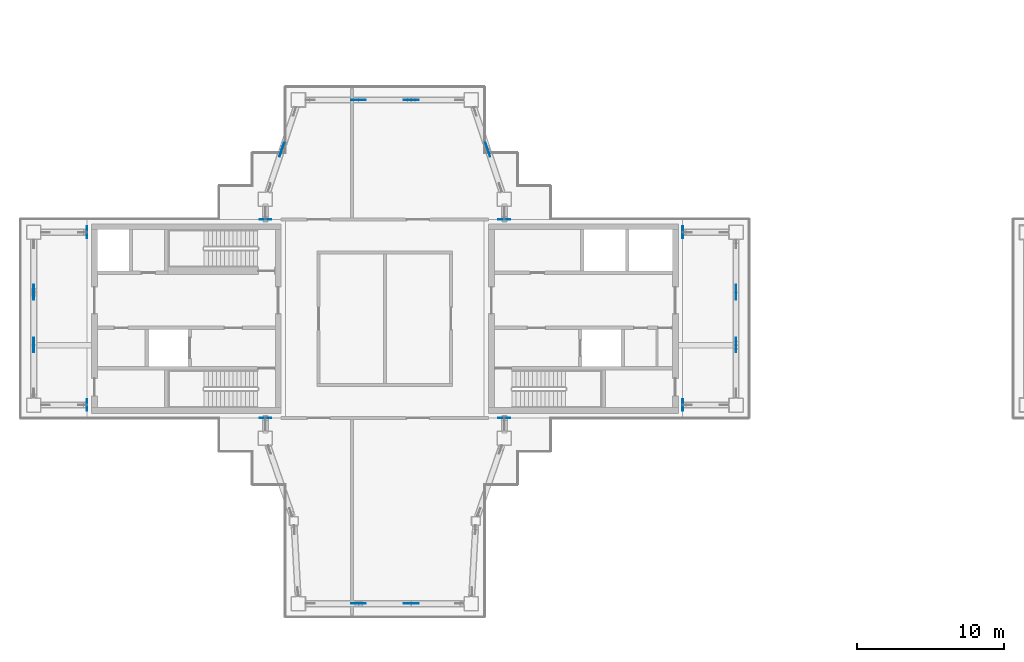
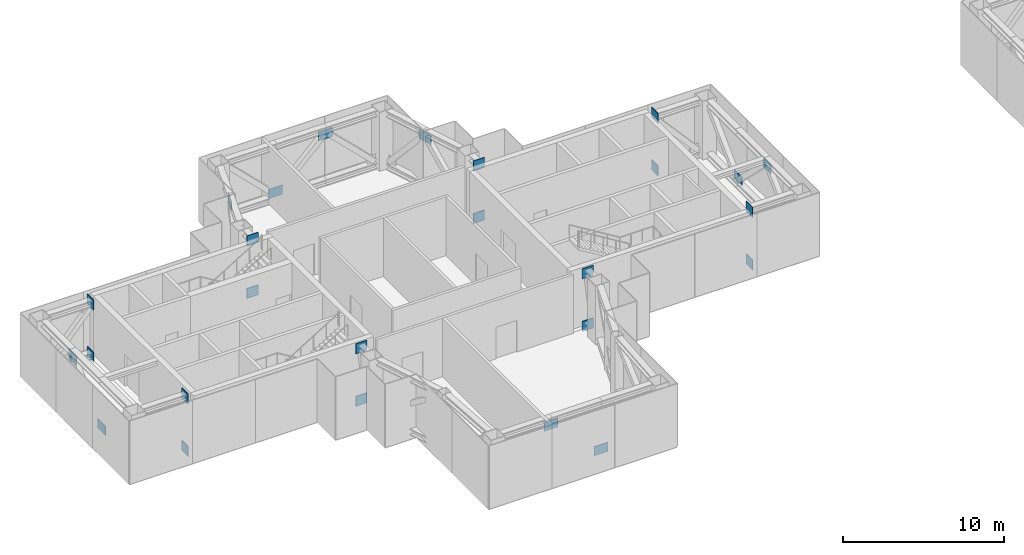
# One storey, part 11 of 18: 26 discrete accessories.
"""IFC4 building model written with IfcOpenShell, lengths in metres."""

from ifc_helpers import new_model, si_unit, direction, frame, origin, origin_2d, place, context, subcontext, project, spatial, rectangle, extrude, material, layer, layer_set, type_object, element, save


model = new_model("IFC4")

# Units and contexts
model_context = context("Model", 3, precision=1e-05, world=origin(), true_north=direction((0.0, 1.0)))
body_context = subcontext(model_context, "Body", "Model", "MODEL_VIEW")
ifc_project = project(units=[si_unit("LENGTHUNIT", "METRE"), si_unit("AREAUNIT", "SQUARE_METRE"), si_unit("VOLUMEUNIT", "CUBIC_METRE"), si_unit("PLANEANGLEUNIT", "RADIAN"), si_unit("MASSUNIT", "GRAM", prefix="KILO")], contexts=[model_context])

# Site, building, storey
site_placement = place(None, origin())
site = spatial("IfcSite", under=ifc_project, at=site_placement, CompositionType="ELEMENT")
building_placement = place(site_placement, origin())
building = spatial("IfcBuilding", under=site, at=building_placement, Name="Shamsa Quay Exchange Towers", CompositionType="ELEMENT")
storey_placement = place(building_placement, frame((0.0, 0.0, 225.60009765625)))
storey = spatial("IfcBuildingStorey", under=building, at=storey_placement, Name="L54", CompositionType="ELEMENT", Elevation=225.60009765625)

# Discrete accessories
ifc_material = material(Name="Steel S355", Category="steel")
ifc_layer_1 = layer(ifc_material, 0.050048828125)
ifc_layer_set_1 = layer_set([ifc_layer_1], Name="Cast-in plate 50x800x765")
discrete_accessory_type_1 = type_object("IfcDiscreteAccessoryType", Name="Cast-in plate 50x800x765", PredefinedType="ANCHORPLATE", material=ifc_layer_set_1)
for number, where, name in (
    (1, (-54.0, -5.875, 3.834716796875), "Cast-in plate T1 L54"),
    (2, (-54.0, -5.875, -0.150146484375), "Cast-in plate T1 L54"),
):
    element("IfcDiscreteAccessory", number, at=place(storey_placement, frame(where)), inside=storey, type_object=discrete_accessory_type_1, Name=name, PredefinedType="ANCHORPLATE", context=body_context, shape_type="SweptSolid", body=[
        extrude(rectangle(XDim=0.050048828125, YDim=0.800048828125, at=origin_2d()), origin(), (0.0, 0.0, 1.0), 0.76513671875),
    ])
for number, where, z_axis, x_axis, name in (
    (3, (-41.875, -6.75, 3.834716796875), (0.0, 0.0, 1.0), (0.0, 1.0, 0.0), "Cast-in plate T1 L54"),
    (4, (-41.875, -6.75, -0.150146484375), (0.0, 0.0, 1.0), (0.0, 1.0, 0.0), "Cast-in plate T1 L54"),
    (5, (-25.625, -6.75, 3.834716796875), (0.0, 0.0, 1.0), (0.0, 1.0, 0.0), "Cast-in plate T1 L54"),
    (6, (-25.625, -6.75, -0.150146484375), (0.0, 0.0, 1.0), (0.0, 1.0, 0.0), "Cast-in plate T1 L54"),
    (7, (-13.5, -5.875, 3.834716796875), (0.0, 0.0, 1.0), (-1.0, 0.0, 0.0), "Cast-in plate T1 L54"),
    (8, (-13.5, -5.875, -0.150146484375), (0.0, 0.0, 1.0), (-1.0, 0.0, 0.0), "Cast-in plate T1 L54"),
    (9, (-13.5, 5.875, 3.834716796875), (0.0, 0.0, 1.0), (-1.0, 0.0, 0.0), "Cast-in plate T1 L54"),
    (10, (-13.5, 5.875, -0.150146484375), (0.0, 0.0, 1.0), (-1.0, 0.0, 0.0), "Cast-in plate T1 L54"),
    (11, (-25.625, 6.75, 3.834716796875), (0.0, 0.0, 1.0), (0.0, -1.0, 0.0), "Cast-in plate T1 L54"),
    (12, (-25.625, 6.75, -0.150146484375), (0.0, 0.0, 1.0), (0.0, -1.0, 0.0), "Cast-in plate T1 L54"),
    (13, (-41.875, 6.75, 3.834716796875), (0.0, 0.0, 1.0), (0.0, -1.0, 0.0), "Cast-in plate T1 L54"),
    (14, (-41.875, 6.75, -0.150146484375), (0.0, 0.0, 1.0), (0.0, -1.0, 0.0), "Cast-in plate T1 L54"),
):
    element("IfcDiscreteAccessory", number, at=place(storey_placement, frame(where, z_axis=z_axis, x_axis=x_axis)), inside=storey, type_object=discrete_accessory_type_1, Name=name, PredefinedType="ANCHORPLATE", context=body_context, shape_type="SweptSolid", body=[
        extrude(rectangle(XDim=0.050048828125, YDim=0.800048828125, at=origin_2d()), origin(), (0.0, 0.0, 1.0), 0.76513671875),
    ])
for number, where, name in (
    (15, (-54.0, 5.875, 3.834716796875), "Cast-in plate T1 L54"),
    (16, (-54.0, 5.875, -0.150146484375), "Cast-in plate T1 L54"),
):
    element("IfcDiscreteAccessory", number, at=place(storey_placement, frame(where)), inside=storey, type_object=discrete_accessory_type_1, Name=name, PredefinedType="ANCHORPLATE", context=body_context, shape_type="SweptSolid", body=[
        extrude(rectangle(XDim=0.050048828125, YDim=0.800048828125, at=origin_2d()), origin(), (0.0, 0.0, 1.0), 0.76513671875),
    ])
ifc_layer_2 = layer(ifc_material, 0.0400390625)
ifc_layer_set_2 = layer_set([ifc_layer_2], Name="Gusset plate 1000x700x40")
discrete_accessory_type_2 = type_object("IfcDiscreteAccessoryType", Name="Gusset plate 1000x700x40", PredefinedType="BRACKET", material=ifc_layer_set_2)
for number, where, name in (
    (17, (-35.541748046875, -19.375, 3.43505859375), "Gusset plate T1 L54"),
    (18, (-31.958251953125, -19.375, 0.31494140625), "Gusset plate T1 L54"),
):
    element("IfcDiscreteAccessory", number, at=place(storey_placement, frame(where)), inside=storey, type_object=discrete_accessory_type_2, Name=name, PredefinedType="BRACKET", context=body_context, shape_type="SweptSolid", body=[
        extrude(rectangle(XDim=1.0, YDim=0.0400390625, at=origin_2d()), origin(), (0.0, 0.0, 1.0), 0.699951171875),
    ])
for number, where, z_axis, x_axis, name in (
    (19, (-9.875, -1.791748046875, 3.43505859375), (0.0, 0.0, 1.0), (0.0, 1.0, 0.0), "Gusset plate T1 L54"),
    (20, (-9.875, 1.791748046875, 0.31494140625), (0.0, 0.0, 1.0), (0.0, 1.0, 0.0), "Gusset plate T1 L54"),
    (21, (-26.75, 11.5, 3.43505859375), (0.0, 0.0, 1.0), (-0.316227766018, 0.94868329805, 0.0), "Gusset plate T1 L54"),
    (22, (-31.958251953125, 14.875, 3.43505859375), (0.0, 0.0, 1.0), (-1.0, 0.0, 0.0), "Gusset plate T1 L54"),
    (23, (-35.541748046875, 14.875, 0.31494140625), (0.0, 0.0, 1.0), (-1.0, 0.0, 0.0), "Gusset plate T1 L54"),
    (24, (-40.75, 11.5, 3.43505859375), (0.0, 0.0, 1.0), (-0.316227766018, -0.94868329805, 0.0), "Gusset plate T1 L54"),
    (25, (-57.625, 1.791748046875, 3.43505859375), (0.0, 0.0, 1.0), (0.0, -1.0, 0.0), "Gusset plate T1 L54"),
    (26, (-57.625, -1.791748046875, 0.31494140625), (0.0, 0.0, 1.0), (0.0, -1.0, 0.0), "Gusset plate T1 L54"),
):
    element("IfcDiscreteAccessory", number, at=place(storey_placement, frame(where, z_axis=z_axis, x_axis=x_axis)), inside=storey, type_object=discrete_accessory_type_2, Name=name, PredefinedType="BRACKET", context=body_context, shape_type="SweptSolid", body=[
        extrude(rectangle(XDim=1.0, YDim=0.0400390625, at=origin_2d()), origin(), (0.0, 0.0, 1.0), 0.699951171875),
    ])

save(model, "model.ifc")
